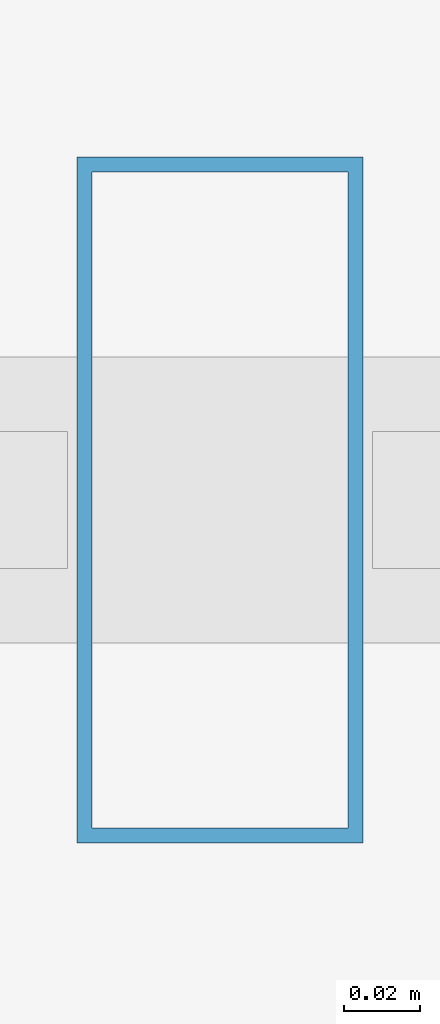
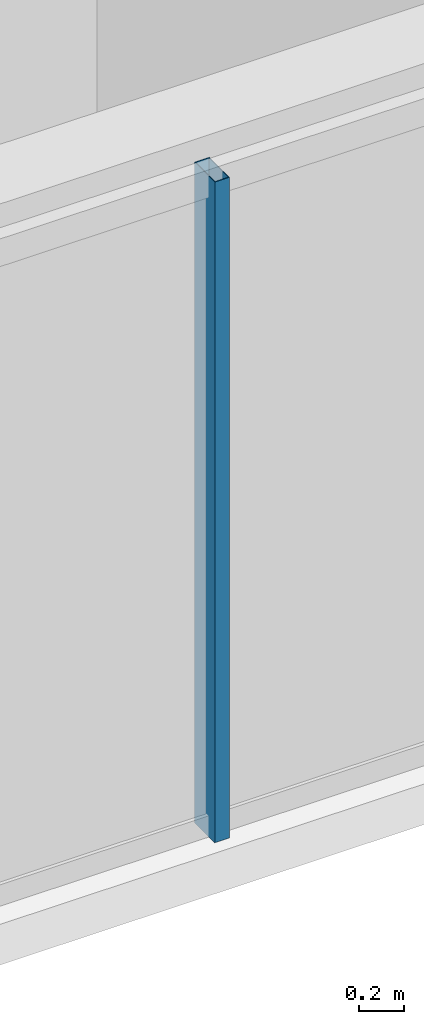
# One storey, part 4 of 33: 1 member, 1 element without a shape of its own.
"""IFC4 building model written with IfcOpenShell, lengths in metres."""

from ifc_helpers import new_model, si_unit, direction, frame, origin, origin_2d, place, context, subcontext, project, spatial, hollow_rectangle, extrude, material, layer, layer_set, material_profile, profile_set, type_object, element, aggregate, save


model = new_model("IFC4")

# Units and contexts
model_context = context("Model", 3, precision=1e-05, world=origin(), true_north=direction((0.0, 1.0)))
body_context = subcontext(model_context, "Body", "Model", "MODEL_VIEW")
ifc_project = project(units=[si_unit("LENGTHUNIT", "METRE"), si_unit("AREAUNIT", "SQUARE_METRE"), si_unit("VOLUMEUNIT", "CUBIC_METRE"), si_unit("PLANEANGLEUNIT", "RADIAN"), si_unit("MASSUNIT", "GRAM", prefix="KILO")], contexts=[model_context])

# Site, building, storey
site_placement = place(None, origin())
site = spatial("IfcSite", under=ifc_project, at=site_placement, CompositionType="ELEMENT")
building_placement = place(site_placement, origin())
building = spatial("IfcBuilding", under=site, at=building_placement, Name="Ndaravel Arena Tower", CompositionType="ELEMENT")
storey_placement = place(building_placement, frame((0.0, 0.0, 161.199951171875)))
storey = spatial("IfcBuildingStorey", under=building, at=storey_placement, Name="L38", CompositionType="ELEMENT", Elevation=161.199951171875)

# Curtain wall, member
ifc_material_1 = material(Name="Aluminium", Category="aluminium")
ifc_layer = layer(ifc_material_1, 0.179931640625)
ifc_layer_set = layer_set([ifc_layer], Name="Aluminium")
curtain_wall_type = type_object("IfcCurtainWallType", Name="CW-SYS-03", PredefinedType="NOTDEFINED", material=ifc_layer_set)
curtain_wall_placement = place(storey_placement, origin())
curtain_wall = element("IfcCurtainWall", 1, at=curtain_wall_placement, inside=storey, type_object=curtain_wall_type, Name="L38 Faceted Crystal Curtain Wall CW-L38-E01", PredefinedType="NOTDEFINED")
ifc_material_2 = material(Name="Aluminium", Category="aluminium")
ifc_material_profile = material_profile(ifc_material_2, hollow_rectangle(XDim=0.074951171875, YDim=0.179931640625, WallThickness=0.00390625, at=origin_2d()), Name="CW MULLION 75x180x4")
ifc_profile_set = profile_set([ifc_material_profile], Name="Aluminium")
member_type = type_object("IfcMemberType", Name="MEM-CW-MUL180", PredefinedType="MULLION", material=ifc_profile_set)
member_placement = place(storey_placement, frame((32.8046875, 5.159912109375, 0.0), z_axis=(0.0, 0.0, 1.0), x_axis=(1.0, 0.0, 0.0)))
member = element("IfcMember", 2, at=member_placement, type_object=member_type, Name="CW-L38-E01 Mullion 02", PredefinedType="MULLION", context=body_context, shape_type="SweptSolid", body=[
    extrude(hollow_rectangle(XDim=0.074951171875, YDim=0.179931640625, WallThickness=0.00390625, at=origin_2d()), origin(), (0.0, 0.0, 1.0), 3.580078125),
])
aggregate(curtain_wall, [member])

save(model, "model.ifc")
